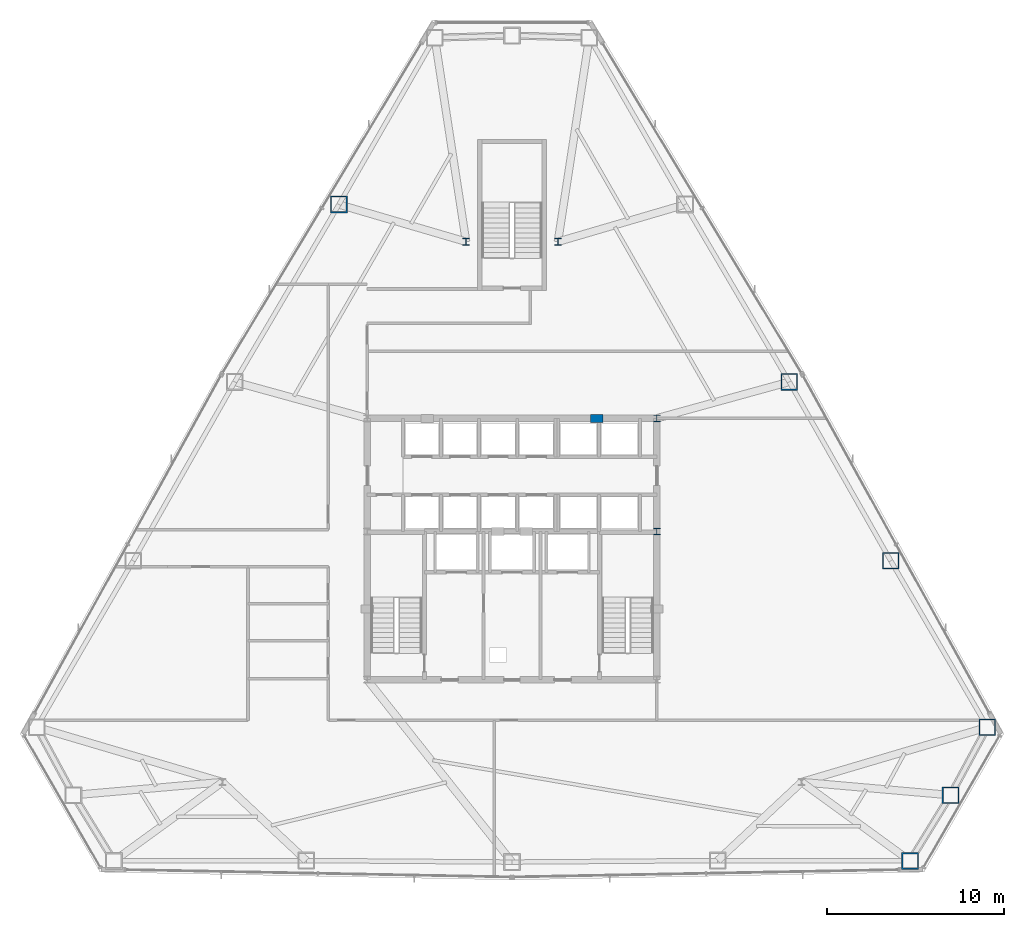
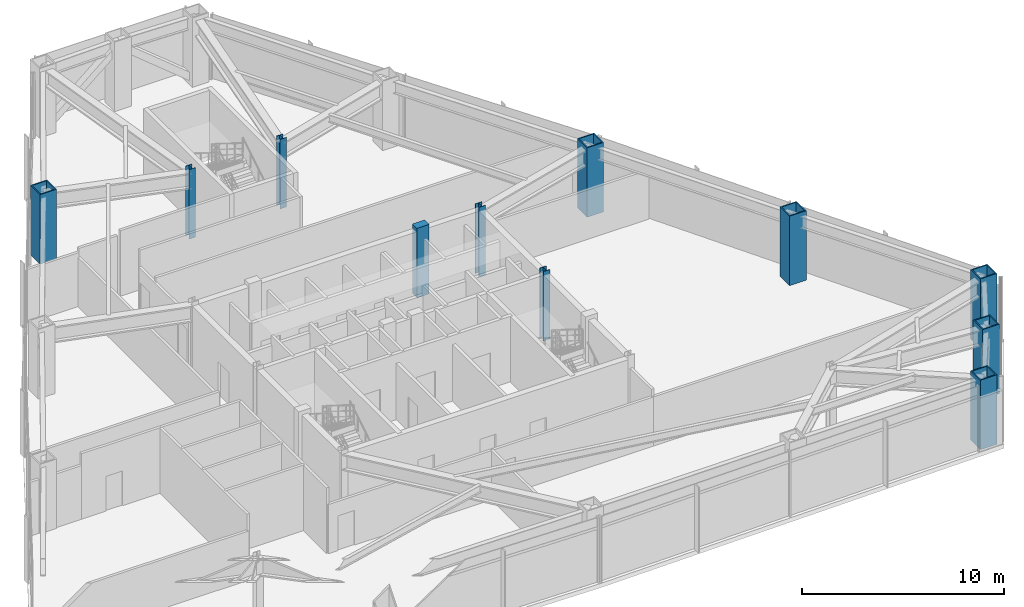
# One storey, part 2 of 13: 11 columns.
"""IFC4 building model written with IfcOpenShell, lengths in metres."""

import ifcopenshell
import ifcopenshell.guid

model = None  # the IFC model being written
_history = None  # IfcOwnerHistory: only IFC2X3 demands one
_inside = {}  # id of a spatial element -> (the spatial element, [elements in it])
_under = {}  # id of a project, library or spatial element -> (it, [spatial elements below it])
_declared = {}  # id of a project -> (the project, [libraries it declares])
_typed = {}  # id of a type object -> (the type object, [elements of that type])
_made_of = {}  # id of a material, layer set ... -> (it, [elements and type objects made of it])


def new_model(schema):
    """Start an empty IFC model of exactly this schema.

    Asked for "IFC4X3", IfcOpenShell would pick the latest addendum, in which some entities
    have other attributes; the version numbers below select the first issue.
    IFC2X3 requires an IfcOwnerHistory on every rooted entity: one is made here for all.
    """
    global model, _history
    if schema == "IFC4X3":
        model = ifcopenshell.file(schema_version=(4, 3, 0, 0))
    else:
        model = ifcopenshell.file(schema=schema)
    _inside.clear()
    _under.clear()
    _declared.clear()
    _typed.clear()
    _made_of.clear()
    _history = None
    if model.schema == "IFC2X3":
        org = make("IfcOrganization", Name="unknown")
        user = make(
            "IfcPersonAndOrganization",
            ThePerson=make("IfcPerson", FamilyName="unknown"),
            TheOrganization=org,
        )
        app = make(
            "IfcApplication",
            ApplicationDeveloper=org,
            Version="unknown",
            ApplicationFullName="unknown",
            ApplicationIdentifier="unknown",
        )
        _history = make(
            "IfcOwnerHistory",
            OwningUser=user,
            OwningApplication=app,
            ChangeAction="ADDED",
            CreationDate=0,
        )
    return model


def make(cls, **values):
    """One entity of the class cls with the attributes given. An attribute that is None is left unset."""
    return model.create_entity(
        cls, **{name: value for name, value in values.items() if value is not None}
    )


def rooted(cls, **values):
    """An entity with a GlobalId (a new one), such as an element, a storey or a relation."""
    return make(cls, GlobalId=ifcopenshell.guid.new(), OwnerHistory=_history, **values)


def si_unit(unit_type, name, prefix=None):
    """IfcSIUnit, for example si_unit("LENGTHUNIT", "METRE", prefix="MILLI")."""
    return make("IfcSIUnit", UnitType=unit_type, Prefix=prefix, Name=name)


def assignment(units):
    """IfcUnitAssignment: the units of a project."""
    return None if units is None else make("IfcUnitAssignment", Units=units)


def point(xyz):
    """IfcCartesianPoint."""
    return None if xyz is None else make("IfcCartesianPoint", Coordinates=xyz)


def direction(xyz):
    """IfcDirection."""
    return None if xyz is None else make("IfcDirection", DirectionRatios=xyz)


def frame(location, z_axis=None, x_axis=None):
    """IfcAxis2Placement3D, a coordinate frame: its origin and axes. An axis left out is left unset."""
    return make(
        "IfcAxis2Placement3D",
        Location=point(location),
        Axis=direction(z_axis),
        RefDirection=direction(x_axis),
    )


def frame_2d(location, x_axis=None):
    """IfcAxis2Placement2D, a coordinate frame in the plane: its origin and x axis."""
    return make(
        "IfcAxis2Placement2D", Location=point(location), RefDirection=direction(x_axis)
    )


def origin():
    """The frame at (0, 0, 0) with its axes left unset."""
    return frame((0.0, 0.0, 0.0))


def origin_2d():
    """The frame at (0, 0) in the plane with its x axis left unset."""
    return frame_2d((0.0, 0.0))


def place(relative_to, where):
    """IfcLocalPlacement: puts the frame where relative to a parent placement (None: the world)."""
    return make(
        "IfcLocalPlacement", PlacementRelTo=relative_to, RelativePlacement=where
    )


def context(
    kind, dimensions, precision=None, world=None, true_north=None, identifier=None
):
    """IfcGeometricRepresentationContext, for example the 3D "Model" context."""
    return make(
        "IfcGeometricRepresentationContext",
        ContextIdentifier=identifier,
        ContextType=kind,
        CoordinateSpaceDimension=dimensions,
        Precision=precision,
        WorldCoordinateSystem=world,
        TrueNorth=true_north,
    )


def subcontext(parent, identifier, kind, view, scale=None):
    """IfcGeometricRepresentationSubContext, for example "Body" below "Model"."""
    return make(
        "IfcGeometricRepresentationSubContext",
        ContextIdentifier=identifier,
        ContextType=kind,
        ParentContext=parent,
        TargetScale=scale,
        TargetView=view,
    )


def project(units=None, contexts=None):
    """IfcProject with its units and contexts."""
    return rooted(
        "IfcProject",
        Name="project",
        RepresentationContexts=contexts,
        UnitsInContext=assignment(units),
    )


def spatial(cls, under=None, at=None, **own):
    """A site, building, storey or space (cls), placed at a placement, below another one or the project."""
    s = rooted(cls, ObjectPlacement=at, **own)
    if under is not None:
        _under.setdefault(under.id(), (under, []))[1].append(s)
    return s


def profile(cls, at=None, kind="AREA", **sizes):
    """A parametric profile (cls). Its sizes go by their IFC names, for example OverallWidth=200.0."""
    return make(cls, ProfileType=kind, Position=at, **sizes)


def rectangle(**sizes):
    """IfcRectangleProfileDef."""
    return profile("IfcRectangleProfileDef", **sizes)


def hollow_rectangle(**sizes):
    """IfcRectangleHollowProfileDef."""
    return profile("IfcRectangleHollowProfileDef", **sizes)


def i_section(**sizes):
    """IfcIShapeProfileDef."""
    return profile("IfcIShapeProfileDef", **sizes)


def extrude(swept, where, along, depth):
    """IfcExtrudedAreaSolid: the profile swept, set in the frame where, extruded along a direction by depth."""
    return make(
        "IfcExtrudedAreaSolid",
        SweptArea=swept,
        Position=where,
        ExtrudedDirection=direction(along),
        Depth=depth,
    )


def shape(context_of_items, identifier, shape_type, items):
    """IfcShapeRepresentation: the items that make up one representation, for example the "Body"."""
    return make(
        "IfcShapeRepresentation",
        ContextOfItems=context_of_items,
        RepresentationIdentifier=identifier,
        RepresentationType=shape_type,
        Items=items,
    )


def material(Name=None, Category=None):
    """IfcMaterial."""
    return make("IfcMaterial", Name=Name, Category=Category)


def material_profile(
    of_material, cross_section, Name=None, Category=None, Priority=None
):
    """IfcMaterialProfile: a cross section and its material."""
    return make(
        "IfcMaterialProfile",
        Name=Name,
        Material=of_material,
        Profile=cross_section,
        Priority=Priority,
        Category=Category,
    )


def profile_set(profiles, Name=None, composite=None):
    """IfcMaterialProfileSet."""
    return make(
        "IfcMaterialProfileSet",
        Name=Name,
        MaterialProfiles=profiles,
        CompositeProfile=composite,
    )


def made_of(thing, what):
    """Note that an element or type object is made of a material, layer set ...; save() writes the relation."""
    if what is not None:
        _made_of.setdefault(what.id(), (what, []))[1].append(thing)
    return thing


def type_object(cls, material=None, **own):
    """A type object (cls), such as IfcWallType, which elements share."""
    return made_of(rooted(cls, **own), material)


def element(
    cls,
    number,
    at=None,
    inside=None,
    cuts=None,
    type_object=None,
    material=None,
    context=None,
    identifier="Body",
    shape_type=None,
    held_by="IfcProductDefinitionShape",
    body=None,
    shapes=None,
    **own,
):
    """One element of the class cls, such as IfcWall. Its Tag is "e" and its number.

    at: its placement. inside: the storey or other place that contains it. cuts: it is an
    opening in that element (IfcRelVoidsElement). A single representation is given by context,
    identifier, shape_type and body (its items); several are given by shapes. held_by: the class
    of the entity that holds the representations. save() writes the other relations.
    """
    e = rooted(cls, Tag="e%d" % number, ObjectPlacement=at, **own)
    if body is not None:
        shapes = [shape(context, identifier, shape_type, body)]
    if shapes is not None:
        e.Representation = make(held_by, Representations=shapes)
    if inside is not None:
        _inside.setdefault(inside.id(), (inside, []))[1].append(e)
    if cuts is not None:
        rooted(
            "IfcRelVoidsElement", RelatingBuildingElement=cuts, RelatedOpeningElement=e
        )
    if type_object is not None:
        _typed.setdefault(type_object.id(), (type_object, []))[1].append(e)
    return made_of(e, material)


def aggregate(whole, parts):
    """IfcRelAggregates: a whole, such as a stair, and the parts it consists of."""
    return rooted("IfcRelAggregates", RelatingObject=whole, RelatedObjects=parts)


def save(model, path):
    """Write the relations noted so far, then the file.

    IfcRelAggregates (storeys below a building ...), IfcRelContainedInSpatialStructure (elements
    in a storey), IfcRelDefinesByType, IfcRelAssociatesMaterial and IfcRelDeclares: one each for
    every whole, place, type object, material and project.
    """
    for whole, parts in _under.values():
        aggregate(whole, parts)
    for where, things in _inside.values():
        rooted(
            "IfcRelContainedInSpatialStructure",
            RelatedElements=things,
            RelatingStructure=where,
        )
    for kind, things in _typed.values():
        rooted("IfcRelDefinesByType", RelatedObjects=things, RelatingType=kind)
    for what, things in _made_of.values():
        rooted("IfcRelAssociatesMaterial", RelatedObjects=things, RelatingMaterial=what)
    for by, libraries in _declared.values():
        rooted("IfcRelDeclares", RelatingContext=by, RelatedDefinitions=libraries)
    model.write(path)


model = new_model("IFC4")

# Units and contexts
model_context = context("Model", 3, precision=1e-05, world=origin(), true_north=direction((0.0, 1.0)))
body_context = subcontext(model_context, "Body", "Model", "MODEL_VIEW")
ifc_project = project(units=[si_unit("LENGTHUNIT", "METRE"), si_unit("AREAUNIT", "SQUARE_METRE"), si_unit("VOLUMEUNIT", "CUBIC_METRE"), si_unit("PLANEANGLEUNIT", "RADIAN"), si_unit("MASSUNIT", "GRAM", prefix="KILO")], contexts=[model_context])

# Site, building, storey
site_placement = place(None, origin())
site = spatial("IfcSite", under=ifc_project, at=site_placement, CompositionType="ELEMENT")
building_placement = place(site_placement, origin())
building = spatial("IfcBuilding", under=site, at=building_placement, Name="Varakhsha Concourse Tower", CompositionType="ELEMENT")
storey_placement = place(building_placement, frame((0.0, 0.0, 111.800048828125)))
storey = spatial("IfcBuildingStorey", under=building, at=storey_placement, Name="L32", CompositionType="ELEMENT", Elevation=111.800048828125)

# Columns
ifc_material_1 = material(Name="Structural Steel ASTM A992 Grade 50", Category="steel")
ifc_material_profile_1 = material_profile(ifc_material_1, i_section(OverallWidth=0.3740234375, OverallDepth=0.3720703125, WebThickness=0.01611328125, FlangeThickness=0.02587890625, at=origin_2d()), Name="W14X132")
ifc_profile_set_1 = profile_set([ifc_material_profile_1], Name="Structural Steel ASTM A992 Grade 50")
column_type_1 = type_object("IfcColumnType", Name="CL-CORE-W14X132", PredefinedType="COLUMN", material=ifc_profile_set_1)
for number, where, z_axis, x_axis, name in (
    (1, (48.199951171875, 24.800048828125, 0.0), (0.0, 0.0, 1.0), (1.0, 0.0, 0.0), "L32 Core Column CC-ME"),
    (2, (48.199951171875, 31.199951171875, 0.0), (0.0, 0.0, 1.0), (1.0, 0.0, 0.0), "L32 Core Column CC-NE"),
    (3, (37.39990234375, 41.199951171875, 0.0), (0.0, 0.0, 1.0), (1.0, 0.0, 0.0), "L32 Core Column NS-W"),
    (4, (42.60009765625, 41.199951171875, 0.0), (0.0, 0.0, 1.0), (1.0, 0.0, 0.0), "L32 Core Column NS-E"),
):
    element("IfcColumn", number, at=place(storey_placement, frame(where, z_axis=z_axis, x_axis=x_axis)), inside=storey, type_object=column_type_1, Name=name, PredefinedType="COLUMN", context=body_context, shape_type="SweptSolid", body=[
        extrude(i_section(OverallWidth=0.3740234375, OverallDepth=0.3720703125, WebThickness=0.01611328125, FlangeThickness=0.02587890625, at=origin_2d()), origin(), (0.0, 0.0, 1.0), 4.199951171875),
    ])
ifc_material_2 = material(Name="Concrete fc 65 MPa", Category="concrete")
ifc_material_profile_2 = material_profile(ifc_material_2, rectangle(XDim=0.699951171875, YDim=0.449951171875, at=origin_2d()), Name="RC 700x450")
ifc_profile_set_2 = profile_set([ifc_material_profile_2], Name="Concrete fc 65 MPa")
column_type_2 = type_object("IfcColumnType", Name="CL-PIL-700X450", PredefinedType="PILASTER", material=ifc_profile_set_2)
column_placement = place(storey_placement, frame((44.800048828125, 31.199951171875, 0.0), z_axis=(0.0, 0.0, 1.0), x_axis=(1.0, 0.0, 0.0)))
element("IfcColumn", 5, at=column_placement, inside=storey, type_object=column_type_2, Name="L32 Core Boundary Pilaster PIL-N2", PredefinedType="PILASTER", context=body_context, shape_type="SweptSolid", body=[
    extrude(rectangle(XDim=0.699951171875, YDim=0.449951171875, at=origin_2d()), origin(), (0.0, 0.0, 1.0), 4.199951171875),
])
ifc_material_3 = material(Name="Structural Steel ASTM A572 Grade 50", Category="steel")
ifc_material_profile_3 = material_profile(ifc_material_3, hollow_rectangle(XDim=0.949951171875, YDim=0.949951171875, WallThickness=0.06494140625, at=origin_2d()), Name="BOX 950x950x65")
ifc_profile_set_3 = profile_set([ifc_material_profile_3], Name="Structural Steel ASTM A572 Grade 50")
column_type_3 = type_object("IfcColumnType", Name="CL-TUBE-950", PredefinedType="COLUMN", material=ifc_profile_set_3)
for number, where, z_axis, x_axis, name in (
    (6, (30.200927734375, 43.30908203125, 0.0), (0.0, 0.0, 1.0), (1.0, 0.0, 0.0), "L32 Framed-Tube Column TC04"),
    (7, (62.54248046875, 6.1328125, 0.0), (0.0, 0.0, 1.0), (1.0, 0.0, 0.0), "L32 Framed-Tube Column TC13"),
    (8, (64.83447265625, 9.86181640625, 0.0), (0.0, 0.0, 1.0), (1.0, 0.0, 0.0), "L32 Framed-Tube Column TC14"),
    (9, (66.91796875, 13.711181640625, 0.0), (0.0, 0.0, 1.0), (1.0, 0.0, 0.0), "L32 Framed-Tube Column TC15"),
    (10, (61.448486328125, 23.131591796875, 0.0), (0.0, 0.0, 1.0), (1.0, 0.0, 0.0), "L32 Framed-Tube Column TC16"),
    (11, (55.700439453125, 33.2646484375, 0.0), (0.0, 0.0, 1.0), (1.0, 0.0, 0.0), "L32 Framed-Tube Column TC17"),
):
    element("IfcColumn", number, at=place(storey_placement, frame(where, z_axis=z_axis, x_axis=x_axis)), inside=storey, type_object=column_type_3, Name=name, PredefinedType="COLUMN", context=body_context, shape_type="SweptSolid", body=[
        extrude(hollow_rectangle(XDim=0.949951171875, YDim=0.949951171875, WallThickness=0.06494140625, at=origin_2d()), origin(), (0.0, 0.0, 1.0), 4.199951171875),
    ])

save(model, "model.ifc")
